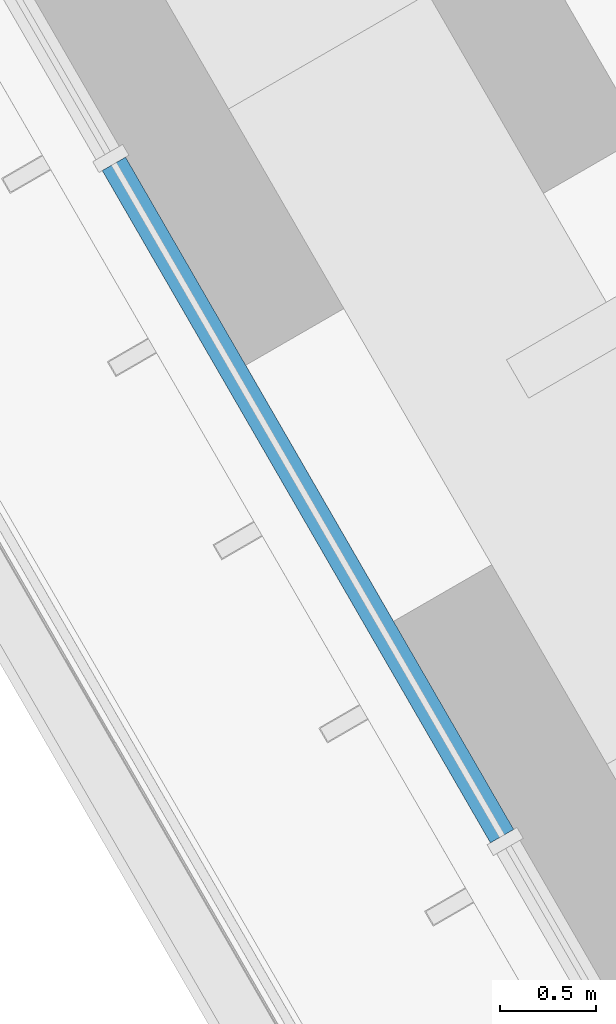
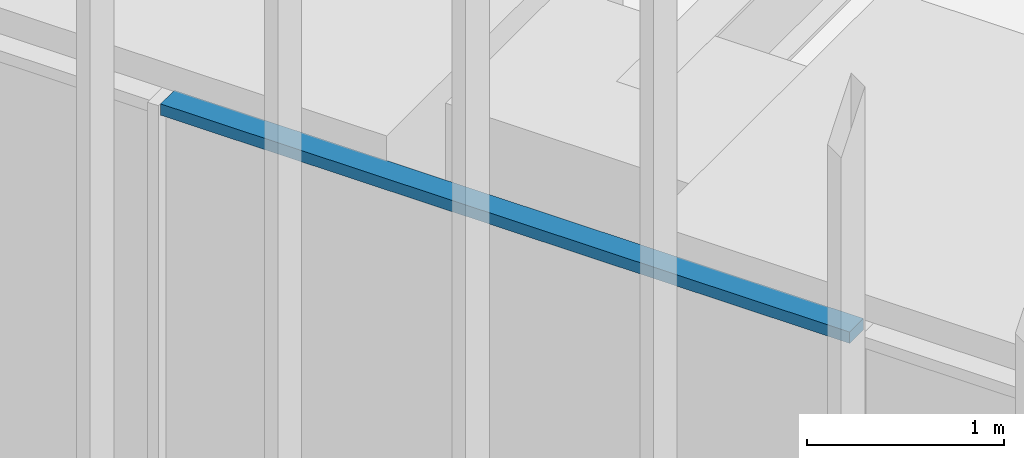
# One storey, part 36 of 238: 1 member, 1 element without a shape of its own.
"""IFC4 building model written with IfcOpenShell, lengths in metres."""

import ifcopenshell
import ifcopenshell.guid

model = None  # the IFC model being written
_history = None  # IfcOwnerHistory: only IFC2X3 demands one
_inside = {}  # id of a spatial element -> (the spatial element, [elements in it])
_under = {}  # id of a project, library or spatial element -> (it, [spatial elements below it])
_declared = {}  # id of a project -> (the project, [libraries it declares])
_typed = {}  # id of a type object -> (the type object, [elements of that type])
_made_of = {}  # id of a material, layer set ... -> (it, [elements and type objects made of it])


def new_model(schema):
    """Start an empty IFC model of exactly this schema.

    Asked for "IFC4X3", IfcOpenShell would pick the latest addendum, in which some entities
    have other attributes; the version numbers below select the first issue.
    IFC2X3 requires an IfcOwnerHistory on every rooted entity: one is made here for all.
    """
    global model, _history
    if schema == "IFC4X3":
        model = ifcopenshell.file(schema_version=(4, 3, 0, 0))
    else:
        model = ifcopenshell.file(schema=schema)
    _inside.clear()
    _under.clear()
    _declared.clear()
    _typed.clear()
    _made_of.clear()
    _history = None
    if model.schema == "IFC2X3":
        org = make("IfcOrganization", Name="unknown")
        user = make(
            "IfcPersonAndOrganization",
            ThePerson=make("IfcPerson", FamilyName="unknown"),
            TheOrganization=org,
        )
        app = make(
            "IfcApplication",
            ApplicationDeveloper=org,
            Version="unknown",
            ApplicationFullName="unknown",
            ApplicationIdentifier="unknown",
        )
        _history = make(
            "IfcOwnerHistory",
            OwningUser=user,
            OwningApplication=app,
            ChangeAction="ADDED",
            CreationDate=0,
        )
    return model


def make(cls, **values):
    """One entity of the class cls with the attributes given. An attribute that is None is left unset."""
    return model.create_entity(
        cls, **{name: value for name, value in values.items() if value is not None}
    )


def rooted(cls, **values):
    """An entity with a GlobalId (a new one), such as an element, a storey or a relation."""
    return make(cls, GlobalId=ifcopenshell.guid.new(), OwnerHistory=_history, **values)


def si_unit(unit_type, name, prefix=None):
    """IfcSIUnit, for example si_unit("LENGTHUNIT", "METRE", prefix="MILLI")."""
    return make("IfcSIUnit", UnitType=unit_type, Prefix=prefix, Name=name)


def assignment(units):
    """IfcUnitAssignment: the units of a project."""
    return None if units is None else make("IfcUnitAssignment", Units=units)


def point(xyz):
    """IfcCartesianPoint."""
    return None if xyz is None else make("IfcCartesianPoint", Coordinates=xyz)


def direction(xyz):
    """IfcDirection."""
    return None if xyz is None else make("IfcDirection", DirectionRatios=xyz)


def frame(location, z_axis=None, x_axis=None):
    """IfcAxis2Placement3D, a coordinate frame: its origin and axes. An axis left out is left unset."""
    return make(
        "IfcAxis2Placement3D",
        Location=point(location),
        Axis=direction(z_axis),
        RefDirection=direction(x_axis),
    )


def frame_2d(location, x_axis=None):
    """IfcAxis2Placement2D, a coordinate frame in the plane: its origin and x axis."""
    return make(
        "IfcAxis2Placement2D", Location=point(location), RefDirection=direction(x_axis)
    )


def origin():
    """The frame at (0, 0, 0) with its axes left unset."""
    return frame((0.0, 0.0, 0.0))


def origin_2d():
    """The frame at (0, 0) in the plane with its x axis left unset."""
    return frame_2d((0.0, 0.0))


def place(relative_to, where):
    """IfcLocalPlacement: puts the frame where relative to a parent placement (None: the world)."""
    return make(
        "IfcLocalPlacement", PlacementRelTo=relative_to, RelativePlacement=where
    )


def context(
    kind, dimensions, precision=None, world=None, true_north=None, identifier=None
):
    """IfcGeometricRepresentationContext, for example the 3D "Model" context."""
    return make(
        "IfcGeometricRepresentationContext",
        ContextIdentifier=identifier,
        ContextType=kind,
        CoordinateSpaceDimension=dimensions,
        Precision=precision,
        WorldCoordinateSystem=world,
        TrueNorth=true_north,
    )


def subcontext(parent, identifier, kind, view, scale=None):
    """IfcGeometricRepresentationSubContext, for example "Body" below "Model"."""
    return make(
        "IfcGeometricRepresentationSubContext",
        ContextIdentifier=identifier,
        ContextType=kind,
        ParentContext=parent,
        TargetScale=scale,
        TargetView=view,
    )


def project(units=None, contexts=None):
    """IfcProject with its units and contexts."""
    return rooted(
        "IfcProject",
        Name="project",
        RepresentationContexts=contexts,
        UnitsInContext=assignment(units),
    )


def spatial(cls, under=None, at=None, **own):
    """A site, building, storey or space (cls), placed at a placement, below another one or the project."""
    s = rooted(cls, ObjectPlacement=at, **own)
    if under is not None:
        _under.setdefault(under.id(), (under, []))[1].append(s)
    return s


def profile(cls, at=None, kind="AREA", **sizes):
    """A parametric profile (cls). Its sizes go by their IFC names, for example OverallWidth=200.0."""
    return make(cls, ProfileType=kind, Position=at, **sizes)


def rectangle(**sizes):
    """IfcRectangleProfileDef."""
    return profile("IfcRectangleProfileDef", **sizes)


def extrude(swept, where, along, depth):
    """IfcExtrudedAreaSolid: the profile swept, set in the frame where, extruded along a direction by depth."""
    return make(
        "IfcExtrudedAreaSolid",
        SweptArea=swept,
        Position=where,
        ExtrudedDirection=direction(along),
        Depth=depth,
    )


def shape(context_of_items, identifier, shape_type, items):
    """IfcShapeRepresentation: the items that make up one representation, for example the "Body"."""
    return make(
        "IfcShapeRepresentation",
        ContextOfItems=context_of_items,
        RepresentationIdentifier=identifier,
        RepresentationType=shape_type,
        Items=items,
    )


def material(Name=None, Category=None):
    """IfcMaterial."""
    return make("IfcMaterial", Name=Name, Category=Category)


def material_profile(
    of_material, cross_section, Name=None, Category=None, Priority=None
):
    """IfcMaterialProfile: a cross section and its material."""
    return make(
        "IfcMaterialProfile",
        Name=Name,
        Material=of_material,
        Profile=cross_section,
        Priority=Priority,
        Category=Category,
    )


def profile_set(profiles, Name=None, composite=None):
    """IfcMaterialProfileSet."""
    return make(
        "IfcMaterialProfileSet",
        Name=Name,
        MaterialProfiles=profiles,
        CompositeProfile=composite,
    )


def made_of(thing, what):
    """Note that an element or type object is made of a material, layer set ...; save() writes the relation."""
    if what is not None:
        _made_of.setdefault(what.id(), (what, []))[1].append(thing)
    return thing


def type_object(cls, material=None, **own):
    """A type object (cls), such as IfcWallType, which elements share."""
    return made_of(rooted(cls, **own), material)


def element(
    cls,
    number,
    at=None,
    inside=None,
    cuts=None,
    type_object=None,
    material=None,
    context=None,
    identifier="Body",
    shape_type=None,
    held_by="IfcProductDefinitionShape",
    body=None,
    shapes=None,
    **own,
):
    """One element of the class cls, such as IfcWall. Its Tag is "e" and its number.

    at: its placement. inside: the storey or other place that contains it. cuts: it is an
    opening in that element (IfcRelVoidsElement). A single representation is given by context,
    identifier, shape_type and body (its items); several are given by shapes. held_by: the class
    of the entity that holds the representations. save() writes the other relations.
    """
    e = rooted(cls, Tag="e%d" % number, ObjectPlacement=at, **own)
    if body is not None:
        shapes = [shape(context, identifier, shape_type, body)]
    if shapes is not None:
        e.Representation = make(held_by, Representations=shapes)
    if inside is not None:
        _inside.setdefault(inside.id(), (inside, []))[1].append(e)
    if cuts is not None:
        rooted(
            "IfcRelVoidsElement", RelatingBuildingElement=cuts, RelatedOpeningElement=e
        )
    if type_object is not None:
        _typed.setdefault(type_object.id(), (type_object, []))[1].append(e)
    return made_of(e, material)


def aggregate(whole, parts):
    """IfcRelAggregates: a whole, such as a stair, and the parts it consists of."""
    return rooted("IfcRelAggregates", RelatingObject=whole, RelatedObjects=parts)


def save(model, path):
    """Write the relations noted so far, then the file.

    IfcRelAggregates (storeys below a building ...), IfcRelContainedInSpatialStructure (elements
    in a storey), IfcRelDefinesByType, IfcRelAssociatesMaterial and IfcRelDeclares: one each for
    every whole, place, type object, material and project.
    """
    for whole, parts in _under.values():
        aggregate(whole, parts)
    for where, things in _inside.values():
        rooted(
            "IfcRelContainedInSpatialStructure",
            RelatedElements=things,
            RelatingStructure=where,
        )
    for kind, things in _typed.values():
        rooted("IfcRelDefinesByType", RelatedObjects=things, RelatingType=kind)
    for what, things in _made_of.values():
        rooted("IfcRelAssociatesMaterial", RelatedObjects=things, RelatingMaterial=what)
    for by, libraries in _declared.values():
        rooted("IfcRelDeclares", RelatingContext=by, RelatedDefinitions=libraries)
    model.write(path)


model = new_model("IFC4")

# Units and contexts
model_context = context("Model", 3, precision=1e-05, world=origin(), true_north=direction((0.0, 1.0)))
body_context = subcontext(model_context, "Body", "Model", "MODEL_VIEW")
ifc_project = project(units=[si_unit("LENGTHUNIT", "METRE"), si_unit("AREAUNIT", "SQUARE_METRE"), si_unit("VOLUMEUNIT", "CUBIC_METRE"), si_unit("PLANEANGLEUNIT", "RADIAN"), si_unit("MASSUNIT", "GRAM", prefix="KILO")], contexts=[model_context])

# Site, building, storey
site_placement = place(None, origin())
site = spatial("IfcSite", under=ifc_project, at=site_placement, CompositionType="ELEMENT")
building_placement = place(site_placement, origin())
building = spatial("IfcBuilding", under=site, at=building_placement, Name="Sandreach Pilgrim Tower", CompositionType="ELEMENT")
storey_placement = place(building_placement, frame((0.0, 0.0, 96.800048828125)))
storey = spatial("IfcBuildingStorey", under=building, at=storey_placement, Name="L23", CompositionType="ELEMENT", Elevation=96.800048828125)

# Curtain wall, member
ifc_material_1 = material(Name="Aluminium framed curtain wall", Category="aluminium")
curtain_wall_type = type_object("IfcCurtainWallType", Name="Hotel tower curtain wall", PredefinedType="NOTDEFINED", material=ifc_material_1)
curtain_wall_placement = place(storey_placement, origin())
curtain_wall = element("IfcCurtainWall", 1, at=curtain_wall_placement, inside=storey, type_object=curtain_wall_type, Name="CW-2 L23 SW", PredefinedType="NOTDEFINED")
ifc_material_2 = material(Name="Aluminium extrusion", Category="aluminium")
ifc_material_profile = material_profile(ifc_material_2, rectangle(XDim=0.139892578125, YDim=0.070068359375, at=origin_2d()), Name="CW-2T 140X70")
ifc_profile_set = profile_set([ifc_material_profile], Name="Aluminium extrusion")
member_type = type_object("IfcMemberType", Name="CW-2 transom", PredefinedType="USERDEFINED", material=ifc_profile_set)
member_placement = place(storey_placement, frame((-18.4697265625, -12.9970703125, 3.60498046875), z_axis=(-0.499997818338, 0.866026663364, 0.0), x_axis=(-0.866026663364, -0.499997818338, 0.0)))
member = element("IfcMember", 2, at=member_placement, type_object=member_type, Name="CW-2 head transom 5", ObjectType="TRANSOM", PredefinedType="USERDEFINED", context=body_context, shape_type="SweptSolid", body=[
    extrude(rectangle(XDim=0.139892578125, YDim=0.070068359375, at=origin_2d()), origin(), (0.0, 0.0, 1.0), 4.0419921875),
])
aggregate(curtain_wall, [member])

save(model, "model.ifc")
